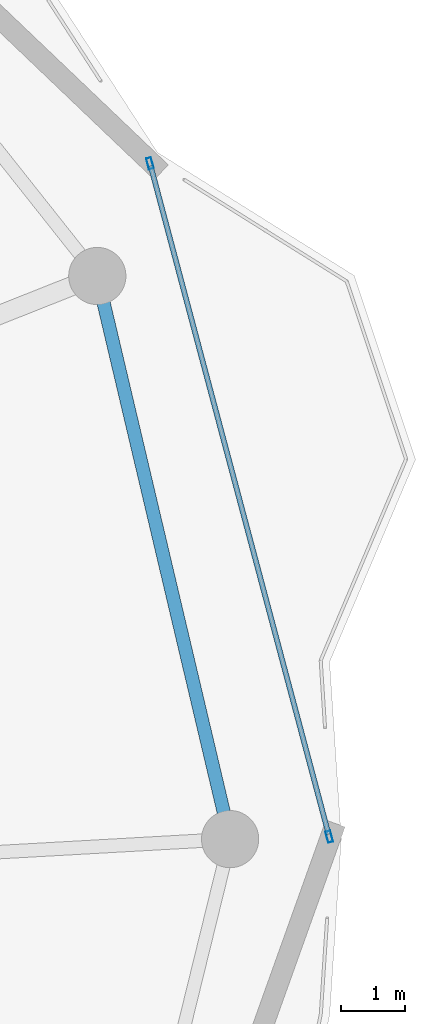
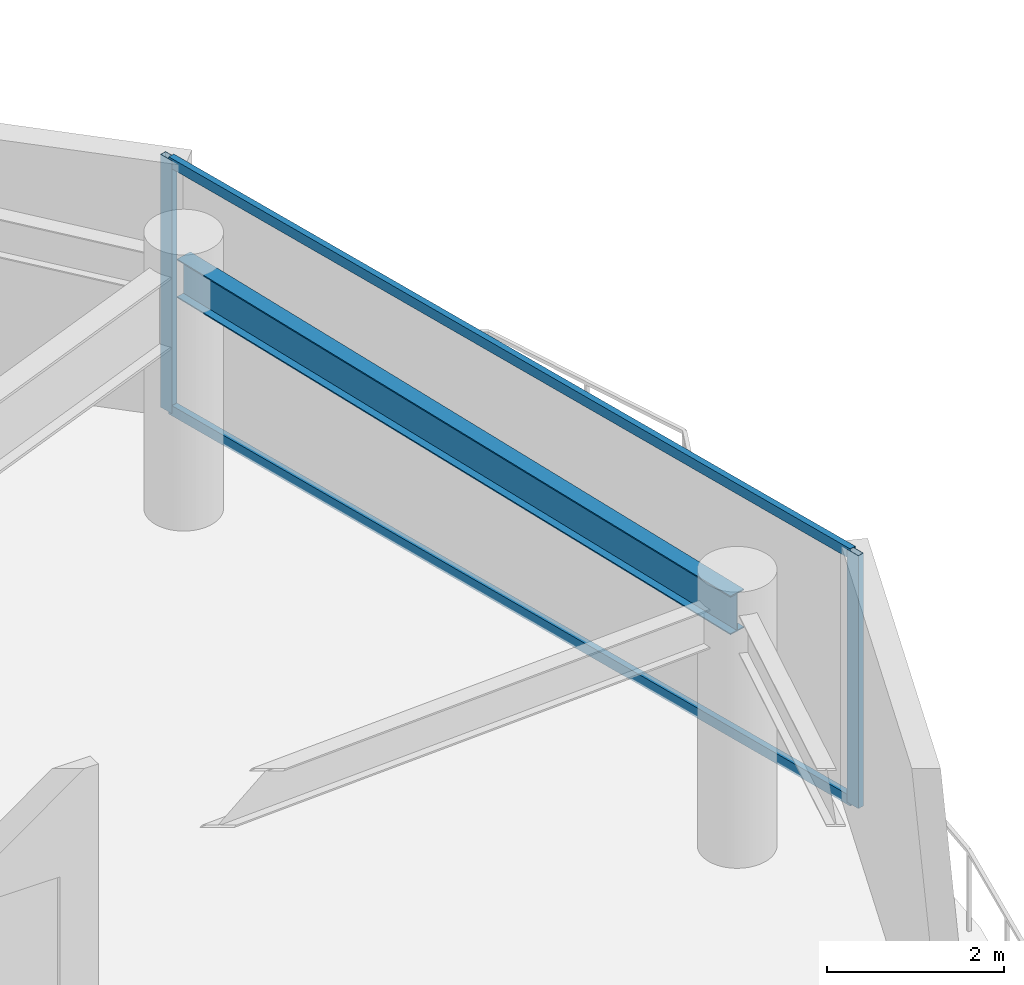
# One storey, part 17 of 29: 4 members, 1 beam, 1 element without a shape of its own.
"""IFC4 building model written with IfcOpenShell, lengths in metres."""

from ifc_helpers import new_model, si_unit, direction, frame, origin, origin_2d, place, context, subcontext, project, spatial, hollow_rectangle, i_section, extrude, material, layer, layer_set, material_profile, profile_set, type_object, element, aggregate, save


model = new_model("IFC4")

# Units and contexts
model_context = context("Model", 3, precision=1e-05, world=origin(), true_north=direction((0.0, 1.0)))
body_context = subcontext(model_context, "Body", "Model", "MODEL_VIEW")
ifc_project = project(units=[si_unit("LENGTHUNIT", "METRE"), si_unit("AREAUNIT", "SQUARE_METRE"), si_unit("VOLUMEUNIT", "CUBIC_METRE"), si_unit("PLANEANGLEUNIT", "RADIAN"), si_unit("MASSUNIT", "GRAM", prefix="KILO")], contexts=[model_context])

# Site, building, storey
site_placement = place(None, origin())
site = spatial("IfcSite", under=ifc_project, at=site_placement, CompositionType="ELEMENT")
building_placement = place(site_placement, origin())
building = spatial("IfcBuilding", under=site, at=building_placement, Name="Kazevale Care Tower and Concert Hall", CompositionType="ELEMENT")
storey_placement = place(building_placement, frame((0.0, 0.0, 289.0)))
storey = spatial("IfcBuildingStorey", under=building, at=storey_placement, Name="L76", CompositionType="ELEMENT", Elevation=289.0)

# Curtain wall, members
ifc_material_1 = material(Name="Aluminium 6063-T6 and Low-E Glass", Category="aluminium")
ifc_layer = layer(ifc_material_1, 0.179931640625)
ifc_layer_set = layer_set([ifc_layer], Name="Aluminium 6063-T6 and Low-E Glass")
curtain_wall_type = type_object("IfcCurtainWallType", Name="Waist & Upper Residential Curtain Wall CW-4", PredefinedType="NOTDEFINED", material=ifc_layer_set)
curtain_wall_placement = place(storey_placement, origin())
curtain_wall = element("IfcCurtainWall", 1, at=curtain_wall_placement, inside=storey, type_object=curtain_wall_type, Name="cw:L76:f18", PredefinedType="NOTDEFINED")
ifc_material_2 = material(Name="Aluminium 6063-T6", Category="aluminium")
ifc_material_profile_1 = material_profile(ifc_material_2, hollow_rectangle(XDim=0.080078125, YDim=0.179931640625, WallThickness=0.0048828125, at=origin_2d()), Name="ALU80x180x5")
ifc_profile_set_1 = profile_set([ifc_material_profile_1], Name="Aluminium 6063-T6")
member_type_1 = type_object("IfcMemberType", Name="CW-4 Mullion ALU80x180x5", PredefinedType="MULLION", material=ifc_profile_set_1)
member_1_placement = place(storey_placement, frame((71.189208984375, 48.63330078125, 0.0), z_axis=(0.0, 0.0, 1.0), x_axis=(0.966344563475, 0.257251209214, 0.0)))
member_1 = element("IfcMember", 2, at=member_1_placement, type_object=member_type_1, Name="CW-4 mullion 1", PredefinedType="MULLION", context=body_context, shape_type="SweptSolid", body=[
    extrude(hollow_rectangle(XDim=0.080078125, YDim=0.179931640625, WallThickness=0.0048828125, at=origin_2d()), origin(), (0.0, 0.0, 1.0), 3.47998046875),
])
member_2_placement = place(storey_placement, frame((74.009765625, 38.03857421875, 0.0), z_axis=(0.0, 0.0, 1.0), x_axis=(0.966344563475, 0.257251209214, 0.0)))
member_2 = element("IfcMember", 3, at=member_2_placement, type_object=member_type_1, Name="CW-4 mullion 2", PredefinedType="MULLION", context=body_context, shape_type="SweptSolid", body=[
    extrude(hollow_rectangle(XDim=0.080078125, YDim=0.179931640625, WallThickness=0.0048828125, at=origin_2d()), origin(), (0.0, 0.0, 1.0), 3.47998046875),
])
ifc_material_profile_2 = material_profile(ifc_material_2, hollow_rectangle(XDim=0.080078125, YDim=0.139892578125, WallThickness=0.00390625, at=origin_2d()), Name="ALU80x140x4")
ifc_profile_set_2 = profile_set([ifc_material_profile_2], Name="Aluminium 6063-T6")
member_type_2 = type_object("IfcMemberType", Name="CW-4 Transom ALU80x140x4", PredefinedType="USERDEFINED", material=ifc_profile_set_2)
member_3_placement = place(storey_placement, frame((71.199462890625, 48.5947265625, 0.0400390625), z_axis=(0.257270305529, -0.966339479631, 0.0), x_axis=(0.966339479631, 0.257270305529, 0.0)))
member_3 = element("IfcMember", 4, at=member_3_placement, type_object=member_type_2, Name="CW-4 transom 1.1", ObjectType="TRANSOM", PredefinedType="USERDEFINED", context=body_context, shape_type="SweptSolid", body=[
    extrude(hollow_rectangle(XDim=0.080078125, YDim=0.139892578125, WallThickness=0.00390625, at=origin_2d()), origin(), (0.0, 0.0, 1.0), 10.8837890625),
])
member_4_placement = place(storey_placement, frame((71.199462890625, 48.5947265625, 3.43994140625), z_axis=(0.257270305529, -0.966339479631, 0.0), x_axis=(0.966339479631, 0.257270305529, 0.0)))
member_4 = element("IfcMember", 5, at=member_4_placement, type_object=member_type_2, Name="CW-4 transom 1.2", ObjectType="TRANSOM", PredefinedType="USERDEFINED", context=body_context, shape_type="SweptSolid", body=[
    extrude(hollow_rectangle(XDim=0.080078125, YDim=0.139892578125, WallThickness=0.00390625, at=origin_2d()), origin(), (0.0, 0.0, 1.0), 10.8837890625),
])
aggregate(curtain_wall, [member_1, member_2, member_3, member_4])

# Beam
ifc_material_3 = material(Name="Steel ASTM A572 Gr 50", Category="steel")
ifc_material_profile_3 = material_profile(ifc_material_3, i_section(OverallWidth=0.208984375, OverallDepth=0.532958984375, WebThickness=0.01025390625, FlangeThickness=0.015625, at=origin_2d()), Name="W530x92")
ifc_profile_set_3 = profile_set([ifc_material_profile_3], Name="Steel ASTM A572 Gr 50")
beam_type = type_object("IfcBeamType", Name="Upper Ring Beam W530x92", PredefinedType="BEAM", material=ifc_profile_set_3)
beam_placement = place(storey_placement, frame((72.449951171875, 38.0, 3.21337890625), z_axis=(-0.229571460706, 0.973291808467, 0.0), x_axis=(-0.973291808467, -0.229571460706, 0.0)))
element("IfcBeam", 6, at=beam_placement, inside=storey, type_object=beam_type, Name="beam:L76:ring:01", PredefinedType="BEAM", context=body_context, shape_type="SweptSolid", body=[
    extrude(i_section(OverallWidth=0.208984375, OverallDepth=0.532958984375, WebThickness=0.01025390625, FlangeThickness=0.015625, at=origin_2d()), origin(), (0.0, 0.0, 1.0), 9.103271484375),
])

save(model, "model.ifc")
